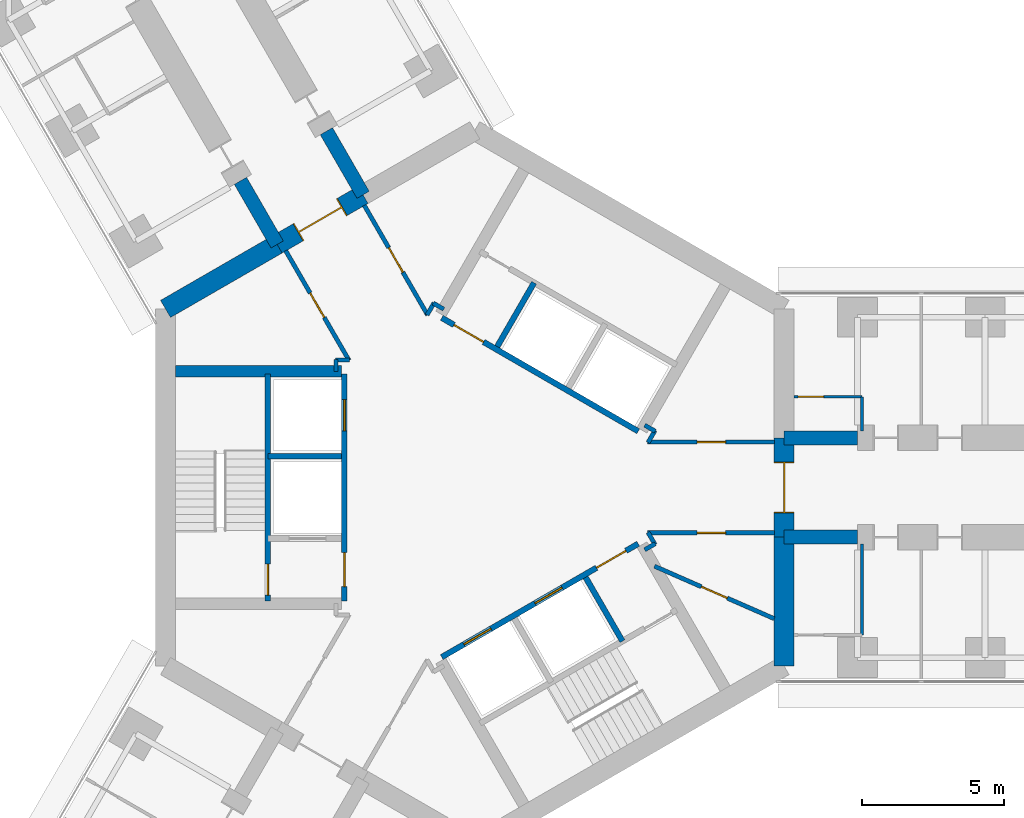
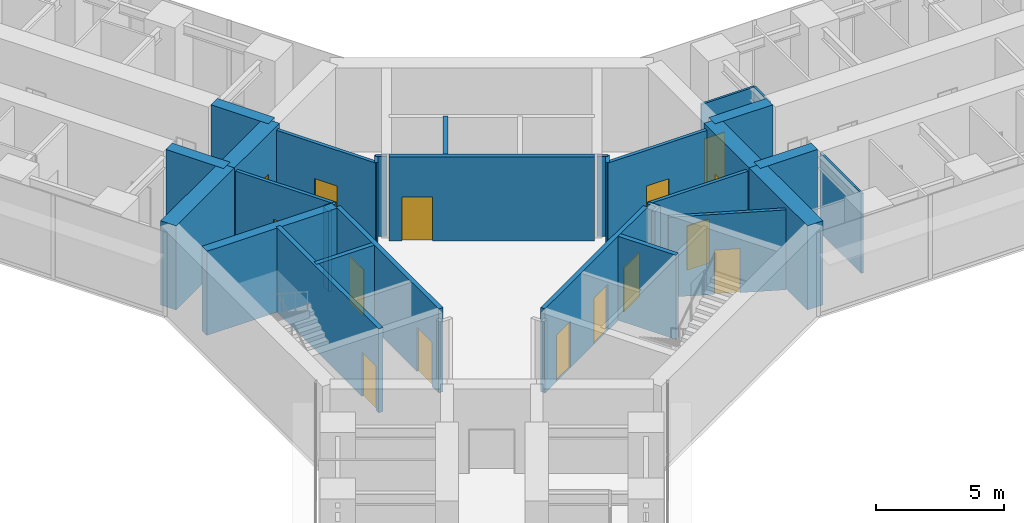
# One storey, part 18 of 25: 32 walls, 15 doors, 15 openings.
"""IFC4 building model written with IfcOpenShell, lengths in metres."""

from ifc_helpers import new_model, si_unit, direction, frame, frame_2d, origin, place, context, subcontext, project, spatial, rectangle, extrude, material, layer, layer_set, type_object, element, fill, save


model = new_model("IFC4")

# Units and contexts
model_context = context("Model", 3, precision=1e-05, world=origin(), true_north=direction((0.0, 1.0)))
body_context = subcontext(model_context, "Body", "Model", "MODEL_VIEW")
ifc_project = project(units=[si_unit("LENGTHUNIT", "METRE"), si_unit("AREAUNIT", "SQUARE_METRE"), si_unit("VOLUMEUNIT", "CUBIC_METRE"), si_unit("PLANEANGLEUNIT", "RADIAN"), si_unit("MASSUNIT", "GRAM", prefix="KILO")], contexts=[model_context])

# Site, building, storey
site_placement = place(None, origin())
site = spatial("IfcSite", under=ifc_project, at=site_placement, CompositionType="ELEMENT")
building_placement = place(site_placement, origin())
building = spatial("IfcBuilding", under=site, at=building_placement, Name="Upepo Twin Towers", CompositionType="ELEMENT")
storey_placement = place(building_placement, frame((0.0, 0.0, 80.5)))
storey = spatial("IfcBuildingStorey", under=building, at=storey_placement, Name="L19", CompositionType="ELEMENT", Elevation=80.5)

# Walls
ifc_material_1 = material(Name="Concrete C60/75", Category="concrete")
ifc_layer_1 = layer(ifc_material_1, 0.5)
ifc_layer_set_1 = layer_set([ifc_layer_1], Name="Concrete C60/75")
wall_type_1 = type_object("IfcWallType", Name="Buttress wall 500 RC", PredefinedType="SHEAR", material=ifc_layer_set_1)
for number, where, z_axis, x_axis, name in (
    (1, (10.908447265625, 1.75, 0.0), (0.0, 0.0, 1.0), (1.0, 0.0, 0.0), "T1 wing A buttress wall L"),
    (2, (10.908447265625, -1.75, 0.0), (0.0, 0.0, 1.0), (1.0, 0.0, 0.0), "T1 wing A buttress wall R"),
):
    element("IfcWall", number, at=place(storey_placement, frame(where, z_axis=z_axis, x_axis=x_axis)), inside=storey, type_object=wall_type_1, Name=name, PredefinedType="SHEAR", context=body_context, shape_type="SweptSolid", body=[
        extrude(rectangle(XDim=2.591552734375, YDim=0.5, at=frame_2d((1.2958984375, 0.0))), origin(), (0.0, 0.0, 1.0), 4.0),
    ])
for number, where, z_axis, x_axis, name in (
    (3, (-6.9697265625, 8.57177734375, 0.0), (0.0, 0.0, 1.0), (-0.499988811324, 0.866031863473, 0.0), "T1 wing B buttress wall L"),
    (4, (-3.938720703125, 10.32177734375, 0.0), (0.0, 0.0, 1.0), (-0.499918158782, 0.866072649678, 0.0), "T1 wing B buttress wall R"),
):
    element("IfcWall", number, at=place(storey_placement, frame(where, z_axis=z_axis, x_axis=x_axis)), inside=storey, type_object=wall_type_1, Name=name, PredefinedType="SHEAR", context=body_context, shape_type="SweptSolid", body=[
        extrude(rectangle(XDim=2.591796875, YDim=0.5, at=frame_2d((1.2958984375, 0.0))), origin(), (0.0, 0.0, 1.0), 4.0),
    ])
ifc_material_2 = material(Name="Concrete C60/75", Category="concrete")
ifc_layer_2 = layer(ifc_material_2, 0.699951171875)
ifc_layer_set_2 = layer_set([ifc_layer_2], Name="Concrete C60/75")
wall_type_2 = type_object("IfcWallType", Name="Core wall 700 RC", PredefinedType="SHEAR", material=ifc_layer_set_2)
wall_1_placement = place(storey_placement, frame((10.908447265625, -6.2978515625, 0.0), z_axis=(0.0, 0.0, 1.0), x_axis=(0.0, 1.0, 0.0)))
element("IfcWall", 5, at=wall_1_placement, inside=storey, type_object=wall_type_2, Name="T1 core wall 000 R", PredefinedType="SHEAR", context=body_context, shape_type="SweptSolid", body=[
    extrude(rectangle(XDim=4.5478515625, YDim=0.699951171875, at=frame_2d((2.27392578125, 0.0))), origin(), (0.0, 0.0, 1.0), 4.0),
])

# Wall, opening, door
wall_2_placement = place(storey_placement, frame((10.908447265625, -1.75, 0.0), z_axis=(0.0, 0.0, 1.0), x_axis=(0.0, 1.0, 0.0)))
wall_2 = element("IfcWall", 6, at=wall_2_placement, inside=storey, type_object=wall_type_2, Name="T1 core wall 000", PredefinedType="SHEAR", context=body_context, shape_type="SweptSolid", body=[
    extrude(rectangle(XDim=3.5, YDim=0.699951171875, at=frame_2d((1.75, 0.0))), origin(), (0.0, 0.0, 1.0), 4.0),
])
opening_1_placement = place(wall_2_placement, frame((0.85009765625, 0.0, 0.0)))
opening_1 = element("IfcOpeningElement", 7, at=opening_1_placement, cuts=wall_2, Name="Opening D2", PredefinedType="OPENING", context=body_context, shape_type="SweptSolid", body=[
    extrude(rectangle(XDim=1.800048828125, YDim=2.10009765625, at=frame_2d((0.89990234375, 1.050048828125))), frame((0.0, 0.35986328125, 0.0), z_axis=(0.0, -1.0, 0.0), x_axis=(1.0, 0.0, 0.0)), (0.0, 0.0, 1.0), 0.719970703125),
])
ifc_material_3 = material(Name="Timber doorset", Category="wood")
door_type_1 = type_object("IfcDoorType", Name="Corridor double door 1800 FD60", OperationType="DOUBLE_DOOR_DOUBLE_SWING", PredefinedType="DOOR", material=ifc_material_3)
door_1_placement = place(opening_1_placement, origin())
door_1 = element("IfcDoor", 8, at=door_1_placement, inside=storey, type_object=door_type_1, Name="T1 L19 wing A corridor door", OperationType="DOUBLE_DOOR_DOUBLE_SWING", OverallHeight=2.10009765625, OverallWidth=1.800048828125, PredefinedType="DOOR", context=body_context, shape_type="SweptSolid", body=[
    extrude(rectangle(XDim=1.720048828125, YDim=2.06009765625, at=frame_2d((0.89990234375, 1.030029296875))), frame((0.0, 0.02490234375, 0.0), z_axis=(0.0, -1.0, 0.0), x_axis=(1.0, 0.0, 0.0)), (0.0, 0.0, 1.0), 0.050048828125),
    extrude(rectangle(XDim=0.04, YDim=2.10009765625, at=frame_2d((0.02001953125, 1.050048828125))), frame((0.0, 0.349609375, 0.0), z_axis=(0.0, -1.0, 0.0), x_axis=(1.0, 0.0, 0.0)), (0.0, 0.0, 1.0), 0.699462890625),
    extrude(rectangle(XDim=0.04, YDim=2.10009765625, at=frame_2d((1.780029296875, 1.050048828125))), frame((0.0, 0.349609375, 0.0), z_axis=(0.0, -1.0, 0.0), x_axis=(1.0, 0.0, 0.0)), (0.0, 0.0, 1.0), 0.699462890625),
    extrude(rectangle(XDim=1.720048828125, YDim=0.04, at=frame_2d((0.89990234375, 2.080078125))), frame((0.0, 0.349609375, 0.0), z_axis=(0.0, -1.0, 0.0), x_axis=(1.0, 0.0, 0.0)), (0.0, 0.0, 1.0), 0.699462890625),
])
fill(opening_1, door_1)

wall_3_placement = place(storey_placement, frame((-3.938720703125, 10.32177734375, 0.0), z_axis=(0.0, 0.0, 1.0), x_axis=(-0.866019471182, -0.500010275428, 0.0)))
wall_3 = element("IfcWall", 9, at=wall_3_placement, inside=storey, type_object=wall_type_2, Name="T1 core wall 120", PredefinedType="SHEAR", context=body_context, shape_type="SweptSolid", body=[
    extrude(rectangle(XDim=3.5, YDim=0.699951171875, at=frame_2d((1.75, 0.0))), origin(), (0.0, 0.0, 1.0), 4.0),
])
opening_2_placement = place(wall_3_placement, frame((0.85009765625, 0.0, 0.0)))
opening_2 = element("IfcOpeningElement", 10, at=opening_2_placement, cuts=wall_3, Name="Opening D2", PredefinedType="OPENING", context=body_context, shape_type="SweptSolid", body=[
    extrude(rectangle(XDim=1.800048828125, YDim=2.10009765625, at=frame_2d((0.89990234375, 1.050048828125))), frame((0.0, 0.35986328125, 0.0), z_axis=(0.0, -1.0, 0.0), x_axis=(1.0, 0.0, 0.0)), (0.0, 0.0, 1.0), 0.719970703125),
])
door_2_placement = place(opening_2_placement, origin())
door_2 = element("IfcDoor", 11, at=door_2_placement, inside=storey, type_object=door_type_1, Name="T1 L19 wing B corridor door", OperationType="DOUBLE_DOOR_DOUBLE_SWING", OverallHeight=2.10009765625, OverallWidth=1.800048828125, PredefinedType="DOOR", context=body_context, shape_type="SweptSolid", body=[
    extrude(rectangle(XDim=1.720048828125, YDim=2.06009765625, at=frame_2d((0.89990234375, 1.030029296875))), frame((0.0, 0.02490234375, 0.0), z_axis=(0.0, -1.0, 0.0), x_axis=(1.0, 0.0, 0.0)), (0.0, 0.0, 1.0), 0.050048828125),
    extrude(rectangle(XDim=0.04, YDim=2.10009765625, at=frame_2d((0.02001953125, 1.050048828125))), frame((0.0, 0.349609375, 0.0), z_axis=(0.0, -1.0, 0.0), x_axis=(1.0, 0.0, 0.0)), (0.0, 0.0, 1.0), 0.699462890625),
    extrude(rectangle(XDim=0.04, YDim=2.10009765625, at=frame_2d((1.780029296875, 1.050048828125))), frame((0.0, 0.349609375, 0.0), z_axis=(0.0, -1.0, 0.0), x_axis=(1.0, 0.0, 0.0)), (0.0, 0.0, 1.0), 0.699462890625),
    extrude(rectangle(XDim=1.720048828125, YDim=0.04, at=frame_2d((0.89990234375, 2.080078125))), frame((0.0, 0.349609375, 0.0), z_axis=(0.0, -1.0, 0.0), x_axis=(1.0, 0.0, 0.0)), (0.0, 0.0, 1.0), 0.699462890625),
])
fill(opening_2, door_2)

# Wall
wall_4_placement = place(storey_placement, frame((-6.9697265625, 8.57177734375, 0.0), z_axis=(0.0, 0.0, 1.0), x_axis=(-0.866034513004, -0.499984222037, 0.0)))
element("IfcWall", 12, at=wall_4_placement, inside=storey, type_object=wall_type_2, Name="T1 core wall 120 L", PredefinedType="SHEAR", context=body_context, shape_type="SweptSolid", body=[
    extrude(rectangle(XDim=4.548095703125, YDim=0.699951171875, at=frame_2d((2.27392578125, 0.0))), origin(), (0.0, 0.0, 1.0), 4.0),
])

# Wall, opening, door
ifc_material_4 = material(Name="Gypsum board on steel studs", Category="steel")
ifc_layer_3 = layer(ifc_material_4, 0.10009765625)
ifc_layer_set_3 = layer_set([ifc_layer_3], Name="Office partition 100 stud")
wall_type_3 = type_object("IfcWallType", Name="Office partition 100 stud", PredefinedType="PARTITIONING", material=ifc_layer_set_3)
wall_5_placement = place(storey_placement, frame((11.258056640625, 3.199951171875, 0.0), z_axis=(0.0, 0.0, 1.0), x_axis=(1.0, 0.0, 0.0)))
wall_5 = element("IfcWall", 13, at=wall_5_placement, inside=storey, type_object=wall_type_3, Name="T1 WC bay partition AL at 11.26", PredefinedType="PARTITIONING", context=body_context, shape_type="SweptSolid", body=[
    extrude(rectangle(XDim=2.39990234375, YDim=0.10009765625, at=frame_2d((1.199951171875, 0.0))), origin(), (0.0, 0.0, 1.0), 3.800048828125),
])
opening_3_placement = place(wall_5_placement, frame((0.14990234375, 0.0, 0.0)))
opening_3 = element("IfcOpeningElement", 14, at=opening_3_placement, cuts=wall_5, Name="Opening D14", PredefinedType="OPENING", context=body_context, shape_type="SweptSolid", body=[
    extrude(rectangle(XDim=0.89990234375, YDim=2.10009765625, at=frame_2d((0.449951171875, 1.050048828125))), frame((0.0, 0.06005859375, 0.0), z_axis=(0.0, -1.0, 0.0), x_axis=(1.0, 0.0, 0.0)), (0.0, 0.0, 1.0), 0.1201171875),
])
ifc_material_5 = material(Name="Timber doorset", Category="wood")
door_type_2 = type_object("IfcDoorType", Name="Office door 900 FD30", OperationType="SINGLE_SWING_LEFT", PredefinedType="DOOR", material=ifc_material_5)
door_3_placement = place(opening_3_placement, origin())
door_3 = element("IfcDoor", 15, at=door_3_placement, inside=storey, type_object=door_type_2, Name="T1 L19 WC bay inner room door", OperationType="SINGLE_SWING_LEFT", OverallHeight=2.10009765625, OverallWidth=0.89990234375, PredefinedType="DOOR", context=body_context, shape_type="SweptSolid", body=[
    extrude(rectangle(XDim=0.89990234375, YDim=2.10009765625, at=frame_2d((0.449951171875, 1.050048828125))), frame((0.0, 0.02490234375, 0.0), z_axis=(0.0, -1.0, 0.0), x_axis=(1.0, 0.0, 0.0)), (0.0, 0.0, 1.0), 0.050048828125),
])
fill(opening_3, door_3)

# Walls
wall_6_placement = place(storey_placement, frame((13.657958984375, 2.0, 0.0), z_axis=(0.0, 0.0, 1.0), x_axis=(0.0, 1.0, 0.0)))
element("IfcWall", 16, at=wall_6_placement, inside=storey, type_object=wall_type_3, Name="T1 WC bay partition AL end at 13.66", PredefinedType="PARTITIONING", context=body_context, shape_type="SweptSolid", body=[
    extrude(rectangle(XDim=1.199951171875, YDim=0.10009765625, at=frame_2d((0.60009765625, 0.0))), origin(), (0.0, 0.0, 1.0), 3.800048828125),
])
wall_7_placement = place(storey_placement, frame((13.657958984375, -2.0, 0.0), z_axis=(0.0, 0.0, 1.0), x_axis=(0.0, -1.0, 0.0)))
element("IfcWall", 17, at=wall_7_placement, inside=storey, type_object=wall_type_3, Name="T1 WC bay partition AR end at 13.66", PredefinedType="PARTITIONING", context=body_context, shape_type="SweptSolid", body=[
    extrude(rectangle(XDim=3.199951171875, YDim=0.10009765625, at=frame_2d((1.60009765625, 0.0))), origin(), (0.0, 0.0, 1.0), 3.800048828125),
])

# Wall, opening, door
ifc_material_6 = material(Name="Concrete C40/50", Category="concrete")
ifc_layer_4 = layer(ifc_material_6, 0.199951171875)
ifc_layer_set_4 = layer_set([ifc_layer_4], Name="Concrete C40/50")
wall_type_4 = type_object("IfcWallType", Name="Shaft wall 200 RC", PredefinedType="SHEAR", material=ifc_layer_set_4)
wall_8_placement = place(storey_placement, frame((5.76416015625, 1.983642578125, 0.0), z_axis=(0.0, 0.0, 1.0), x_axis=(-0.866026010844, 0.49999894854, 0.0)))
wall_8 = element("IfcWall", 18, at=wall_8_placement, inside=storey, type_object=wall_type_4, Name="T1 core W60 front wall", PredefinedType="SHEAR", context=body_context, shape_type="SweptSolid", body=[
    extrude(rectangle(XDim=8.0, YDim=0.199951171875, at=frame_2d((4.0, 0.0))), origin(), (0.0, 0.0, 1.0), 4.0),
])
opening_4_placement = place(wall_8_placement, frame((6.300048828125, 0.0, 0.0)))
opening_4 = element("IfcOpeningElement", 19, at=opening_4_placement, cuts=wall_8, Name="Opening D4", PredefinedType="OPENING", context=body_context, shape_type="SweptSolid", body=[
    extrude(rectangle(XDim=1.199951171875, YDim=2.10009765625, at=frame_2d((0.60009765625, 1.050048828125))), frame((0.0, 0.10986328125, 0.0), z_axis=(0.0, -1.0, 0.0), x_axis=(1.0, 0.0, 0.0)), (0.0, 0.0, 1.0), 0.219970703125),
])
ifc_material_7 = material(Name="Timber doorset", Category="wood")
door_type_3 = type_object("IfcDoorType", Name="Lobby door 1200 FD60", OperationType="SINGLE_SWING_LEFT", PredefinedType="DOOR", material=ifc_material_7)
door_4_placement = place(opening_4_placement, origin())
door_4 = element("IfcDoor", 20, at=door_4_placement, inside=storey, type_object=door_type_3, Name="T1 L19 W60 lobby door", OperationType="SINGLE_SWING_RIGHT", OverallHeight=2.10009765625, OverallWidth=1.199951171875, PredefinedType="DOOR", context=body_context, shape_type="SweptSolid", body=[
    extrude(rectangle(XDim=1.199951171875, YDim=2.10009765625, at=frame_2d((0.60009765625, 1.050048828125))), frame((0.0, 0.02490234375, 0.0), z_axis=(0.0, -1.0, 0.0), x_axis=(1.0, 0.0, 0.0)), (0.0, 0.0, 1.0), 0.050048828125),
])
fill(opening_4, door_4)

# Wall
wall_9_placement = place(storey_placement, frame((0.791259765625, 4.97021484375, 0.0), z_axis=(0.0, 0.0, 1.0), x_axis=(0.499936506574, 0.866062058628, 0.0)))
element("IfcWall", 21, at=wall_9_placement, inside=storey, type_object=wall_type_4, Name="T1 core W60 lobby wall", PredefinedType="SHEAR", context=body_context, shape_type="SweptSolid", body=[
    extrude(rectangle(XDim=2.599853515625, YDim=0.199951171875, at=frame_2d((1.2998046875, 0.0))), origin(), (0.0, 0.0, 1.0), 4.0),
])

# Wall, openings, doors
wall_10_placement = place(storey_placement, frame((-4.60009765625, 4.0, 0.0), z_axis=(0.0, 0.0, 1.0), x_axis=(0.0, -1.0, 0.0)))
wall_10 = element("IfcWall", 22, at=wall_10_placement, inside=storey, type_object=wall_type_4, Name="T1 core W180 front wall", PredefinedType="SHEAR", context=body_context, shape_type="SweptSolid", body=[
    extrude(rectangle(XDim=8.0, YDim=0.199951171875, at=frame_2d((4.0, 0.0))), origin(), (0.0, 0.0, 1.0), 4.0),
])
opening_5_placement = place(wall_10_placement, frame((6.300048828125, 0.0, 0.0)))
opening_5 = element("IfcOpeningElement", 23, at=opening_5_placement, cuts=wall_10, Name="Opening D4", PredefinedType="OPENING", context=body_context, shape_type="SweptSolid", body=[
    extrude(rectangle(XDim=1.199951171875, YDim=2.10009765625, at=frame_2d((0.60009765625, 1.050048828125))), frame((0.0, 0.10986328125, 0.0), z_axis=(0.0, -1.0, 0.0), x_axis=(1.0, 0.0, 0.0)), (0.0, 0.0, 1.0), 0.219970703125),
])
opening_6_placement = place(wall_10_placement, frame((0.89990234375, 0.0, 0.0)))
opening_6 = element("IfcOpeningElement", 24, at=opening_6_placement, cuts=wall_10, Name="Opening LD1", PredefinedType="OPENING", context=body_context, shape_type="SweptSolid", body=[
    extrude(rectangle(XDim=1.10009765625, YDim=2.199951171875, at=frame_2d((0.550048828125, 1.10009765625))), frame((0.0, 0.10986328125, 0.0), z_axis=(0.0, -1.0, 0.0), x_axis=(1.0, 0.0, 0.0)), (0.0, 0.0, 1.0), 0.219970703125),
])
ifc_material_8 = material(Name="Steel doorset", Category="steel")
door_type_4 = type_object("IfcDoorType", Name="Lift landing door 1100", OperationType="DOUBLE_DOOR_SLIDING", PredefinedType="DOOR", material=ifc_material_8)
door_5_placement = place(opening_6_placement, origin())
door_5 = element("IfcDoor", 25, at=door_5_placement, inside=storey, type_object=door_type_4, Name="T1 L19 lift SV1 landing door", OperationType="DOUBLE_DOOR_SLIDING", OverallHeight=2.199951171875, OverallWidth=1.10009765625, PredefinedType="DOOR", context=body_context, shape_type="SweptSolid", body=[
    extrude(rectangle(XDim=1.10009765625, YDim=2.199951171875, at=frame_2d((0.550048828125, 1.10009765625))), frame((0.0, 0.02490234375, 0.0), z_axis=(0.0, -1.0, 0.0), x_axis=(1.0, 0.0, 0.0)), (0.0, 0.0, 1.0), 0.050048828125),
])
fill(opening_6, door_5)
door_6_placement = place(opening_5_placement, origin())
door_6 = element("IfcDoor", 26, at=door_6_placement, inside=storey, type_object=door_type_3, Name="T1 L19 W180 lobby door", OperationType="SINGLE_SWING_RIGHT", OverallHeight=2.10009765625, OverallWidth=1.199951171875, PredefinedType="DOOR", context=body_context, shape_type="SweptSolid", body=[
    extrude(rectangle(XDim=1.199951171875, YDim=2.10009765625, at=frame_2d((0.60009765625, 1.050048828125))), frame((0.0, 0.02490234375, 0.0), z_axis=(0.0, -1.0, 0.0), x_axis=(1.0, 0.0, 0.0)), (0.0, 0.0, 1.0), 0.050048828125),
])
fill(opening_5, door_6)

# Wall
wall_11_placement = place(storey_placement, frame((-4.699951171875, 1.10009765625, 0.0), z_axis=(0.0, 0.0, 1.0), x_axis=(-1.0, 0.0, 0.0)))
element("IfcWall", 27, at=wall_11_placement, inside=storey, type_object=wall_type_4, Name="T1 core W180 shaft divider", PredefinedType="SHEAR", context=body_context, shape_type="SweptSolid", body=[
    extrude(rectangle(XDim=2.60009765625, YDim=0.199951171875, at=frame_2d((1.300048828125, 0.0))), origin(), (0.0, 0.0, 1.0), 4.0),
])

# Wall, opening, door
wall_12_placement = place(storey_placement, frame((-7.300048828125, 4.0, 0.0), z_axis=(0.0, 0.0, 1.0), x_axis=(0.0, -1.0, 0.0)))
wall_12 = element("IfcWall", 28, at=wall_12_placement, inside=storey, type_object=wall_type_4, Name="T1 core W180 stair wall", PredefinedType="SHEAR", context=body_context, shape_type="SweptSolid", body=[
    extrude(rectangle(XDim=8.0, YDim=0.199951171875, at=frame_2d((4.0, 0.0))), origin(), (0.0, 0.0, 1.0), 4.0),
])
opening_7_placement = place(wall_12_placement, frame((6.699951171875, 0.0, 0.0)))
opening_7 = element("IfcOpeningElement", 29, at=opening_7_placement, cuts=wall_12, Name="Opening D3", PredefinedType="OPENING", context=body_context, shape_type="SweptSolid", body=[
    extrude(rectangle(XDim=1.10009765625, YDim=2.10009765625, at=frame_2d((0.550048828125, 1.050048828125))), frame((0.0, 0.10986328125, 0.0), z_axis=(0.0, -1.0, 0.0), x_axis=(1.0, 0.0, 0.0)), (0.0, 0.0, 1.0), 0.219970703125),
])
ifc_material_9 = material(Name="Timber doorset", Category="wood")
door_type_5 = type_object("IfcDoorType", Name="Stair door 1100 FD60", OperationType="SINGLE_SWING_LEFT", PredefinedType="DOOR", material=ifc_material_9)
door_7_placement = place(opening_7_placement, origin())
door_7 = element("IfcDoor", 30, at=door_7_placement, inside=storey, type_object=door_type_5, Name="T1 L19 stair door", OperationType="SINGLE_SWING_RIGHT", OverallHeight=2.10009765625, OverallWidth=1.10009765625, PredefinedType="DOOR", context=body_context, shape_type="SweptSolid", body=[
    extrude(rectangle(XDim=1.10009765625, YDim=2.10009765625, at=frame_2d((0.550048828125, 1.050048828125))), frame((0.0, 0.02490234375, 0.0), z_axis=(0.0, -1.0, 0.0), x_axis=(1.0, 0.0, 0.0)), (0.0, 0.0, 1.0), 0.050048828125),
])
fill(opening_7, door_7)

# Wall, openings, doors
wall_13_placement = place(storey_placement, frame((-1.1640625, -5.983642578125, 0.0), z_axis=(0.0, 0.0, 1.0), x_axis=(0.866026010844, 0.49999894854, 0.0)))
wall_13 = element("IfcWall", 31, at=wall_13_placement, inside=storey, type_object=wall_type_4, Name="T1 core W300 front wall", PredefinedType="SHEAR", context=body_context, shape_type="SweptSolid", body=[
    extrude(rectangle(XDim=8.0, YDim=0.199951171875, at=frame_2d((4.0, 0.0))), origin(), (0.0, 0.0, 1.0), 4.0),
])
opening_8_placement = place(wall_13_placement, frame((6.300048828125, 0.0, 0.0)))
opening_8 = element("IfcOpeningElement", 32, at=opening_8_placement, cuts=wall_13, Name="Opening D4", PredefinedType="OPENING", context=body_context, shape_type="SweptSolid", body=[
    extrude(rectangle(XDim=1.199951171875, YDim=2.10009765625, at=frame_2d((0.60009765625, 1.050048828125))), frame((0.0, 0.10986328125, 0.0), z_axis=(0.0, -1.0, 0.0), x_axis=(1.0, 0.0, 0.0)), (0.0, 0.0, 1.0), 0.219970703125),
])
opening_9_placement = place(wall_13_placement, frame((0.89990234375, 0.0, 0.0)))
opening_9 = element("IfcOpeningElement", 33, at=opening_9_placement, cuts=wall_13, Name="Opening LD1", PredefinedType="OPENING", context=body_context, shape_type="SweptSolid", body=[
    extrude(rectangle(XDim=1.10009765625, YDim=2.199951171875, at=frame_2d((0.550048828125, 1.10009765625))), frame((0.0, 0.10986328125, 0.0), z_axis=(0.0, -1.0, 0.0), x_axis=(1.0, 0.0, 0.0)), (0.0, 0.0, 1.0), 0.219970703125),
])
opening_10_placement = place(wall_13_placement, frame((3.800048828125, 0.0, 0.0)))
opening_10 = element("IfcOpeningElement", 34, at=opening_10_placement, cuts=wall_13, Name="Opening LD1", PredefinedType="OPENING", context=body_context, shape_type="SweptSolid", body=[
    extrude(rectangle(XDim=1.10009765625, YDim=2.199951171875, at=frame_2d((0.550048828125, 1.10009765625))), frame((0.0, 0.10986328125, 0.0), z_axis=(0.0, -1.0, 0.0), x_axis=(1.0, 0.0, 0.0)), (0.0, 0.0, 1.0), 0.219970703125),
])
door_8_placement = place(opening_9_placement, origin())
door_8 = element("IfcDoor", 35, at=door_8_placement, inside=storey, type_object=door_type_4, Name="T1 L19 lift LL1 landing door", OperationType="DOUBLE_DOOR_SLIDING", OverallHeight=2.199951171875, OverallWidth=1.10009765625, PredefinedType="DOOR", context=body_context, shape_type="SweptSolid", body=[
    extrude(rectangle(XDim=1.10009765625, YDim=2.199951171875, at=frame_2d((0.550048828125, 1.10009765625))), frame((0.0, 0.02490234375, 0.0), z_axis=(0.0, -1.0, 0.0), x_axis=(1.0, 0.0, 0.0)), (0.0, 0.0, 1.0), 0.050048828125),
])
fill(opening_9, door_8)
door_9_placement = place(opening_10_placement, origin())
door_9 = element("IfcDoor", 36, at=door_9_placement, inside=storey, type_object=door_type_4, Name="T1 L19 lift LL2 landing door", OperationType="DOUBLE_DOOR_SLIDING", OverallHeight=2.199951171875, OverallWidth=1.10009765625, PredefinedType="DOOR", context=body_context, shape_type="SweptSolid", body=[
    extrude(rectangle(XDim=1.10009765625, YDim=2.199951171875, at=frame_2d((0.550048828125, 1.10009765625))), frame((0.0, 0.02490234375, 0.0), z_axis=(0.0, -1.0, 0.0), x_axis=(1.0, 0.0, 0.0)), (0.0, 0.0, 1.0), 0.050048828125),
])
fill(opening_10, door_9)
door_10_placement = place(opening_8_placement, origin())
door_10 = element("IfcDoor", 37, at=door_10_placement, inside=storey, type_object=door_type_3, Name="T1 L19 W300 lobby door", OperationType="SINGLE_SWING_RIGHT", OverallHeight=2.10009765625, OverallWidth=1.199951171875, PredefinedType="DOOR", context=body_context, shape_type="SweptSolid", body=[
    extrude(rectangle(XDim=1.199951171875, YDim=2.10009765625, at=frame_2d((0.60009765625, 1.050048828125))), frame((0.0, 0.02490234375, 0.0), z_axis=(0.0, -1.0, 0.0), x_axis=(1.0, 0.0, 0.0)), (0.0, 0.0, 1.0), 0.050048828125),
])
fill(opening_8, door_10)

# Walls
wall_14_placement = place(storey_placement, frame((3.908935546875, -3.17041015625, 0.0), z_axis=(0.0, 0.0, 1.0), x_axis=(0.49997716683, -0.86603858612, 0.0)))
element("IfcWall", 38, at=wall_14_placement, inside=storey, type_object=wall_type_4, Name="T1 core W300 lobby wall", PredefinedType="SHEAR", context=body_context, shape_type="SweptSolid", body=[
    extrude(rectangle(XDim=2.599609375, YDim=0.199951171875, at=frame_2d((1.2998046875, 0.0))), origin(), (0.0, 0.0, 1.0), 4.0),
])
ifc_material_10 = material(Name="Concrete C40/50", Category="concrete")
ifc_layer_5 = layer(ifc_material_10, 0.39990234375)
ifc_layer_set_5 = layer_set([ifc_layer_5], Name="Concrete C40/50")
wall_type_5 = type_object("IfcWallType", Name="Shaft wall 400 RC", PredefinedType="SHEAR", material=ifc_layer_set_5)
wall_15_placement = place(storey_placement, frame((-4.699951171875, 4.10009765625, 0.0), z_axis=(0.0, 0.0, 1.0), x_axis=(-1.0, 0.0, 0.0)))
element("IfcWall", 39, at=wall_15_placement, inside=storey, type_object=wall_type_5, Name="T1 core W180 side wall S", PredefinedType="SHEAR", context=body_context, shape_type="SweptSolid", body=[
    extrude(rectangle(XDim=5.8583984375, YDim=0.39990234375, at=frame_2d((2.92919921875, 0.0))), origin(), (0.0, 0.0, 1.0), 4.0),
])
ifc_material_11 = material(Name="Gypsum board on steel studs", Category="steel")
ifc_layer_6 = layer(ifc_material_11, 0.14990234375)
ifc_layer_set_6 = layer_set([ifc_layer_6], Name="Teaching partition 150 acoustic")
wall_type_6 = type_object("IfcWallType", Name="Teaching partition 150 acoustic", PredefinedType="PARTITIONING", material=ifc_layer_set_6)
for number, where, z_axis, x_axis, name in (
    (40, (6.364501953125, -1.9833984375, 0.0), (0.0, 0.0, 1.0), (-0.865892400268, -0.500230298122, 0.0), "T1 core room partition 1"),
    (41, (-4.89990234375, 4.090087890625, 0.0), (0.0, 0.0, 1.0), (0.0, 1.0, 0.0), "T1 core room partition 8"),
):
    element("IfcWall", number, at=place(storey_placement, frame(where, z_axis=z_axis, x_axis=x_axis)), inside=storey, type_object=wall_type_6, Name=name, PredefinedType="PARTITIONING", context=body_context, shape_type="SweptSolid", body=[
        extrude(rectangle(XDim=0.429931640625, YDim=0.14990234375, at=frame_2d((0.21484375, 0.0))), origin(), (0.0, 0.0, 1.0), 3.800048828125),
    ])
wall_16_placement = place(storey_placement, frame((-4.919921875, 4.5, 0.0), z_axis=(0.0, 0.0, 1.0), x_axis=(1.0, 0.0, 0.0)))
element("IfcWall", 42, at=wall_16_placement, inside=storey, type_object=wall_type_6, Name="T1 core room partition 9", PredefinedType="PARTITIONING", context=body_context, shape_type="SweptSolid", body=[
    extrude(rectangle(XDim=0.494384765625, YDim=0.14990234375, at=frame_2d((0.2470703125, 0.0))), origin(), (0.0, 0.0, 1.0), 3.800048828125),
])

# Wall, opening, door
wall_17_placement = place(storey_placement, frame((-4.435546875, 4.482666015625, 0.0), z_axis=(0.0, 0.0, 1.0), x_axis=(-0.500017246033, 0.866015446554, 0.0)))
wall_17 = element("IfcWall", 43, at=wall_17_placement, inside=storey, type_object=wall_type_6, Name="T1 core room partition 10", PredefinedType="PARTITIONING", context=body_context, shape_type="SweptSolid", body=[
    extrude(rectangle(XDim=4.468505859375, YDim=0.14990234375, at=frame_2d((2.234375, 0.0))), origin(), (0.0, 0.0, 1.0), 3.800048828125),
])
opening_11_placement = place(wall_17_placement, frame((1.744384765625, 0.0, 0.0)))
opening_11 = element("IfcOpeningElement", 44, at=opening_11_placement, cuts=wall_17, Name="Opening D1", PredefinedType="OPENING", context=body_context, shape_type="SweptSolid", body=[
    extrude(rectangle(XDim=1.0, YDim=2.10009765625, at=frame_2d((0.5, 1.050048828125))), frame((0.0, 0.0849609375, 0.0), z_axis=(0.0, -1.0, 0.0), x_axis=(1.0, 0.0, 0.0)), (0.0, 0.0, 1.0), 0.169921875),
])
ifc_material_12 = material(Name="Timber doorset", Category="wood")
door_type_6 = type_object("IfcDoorType", Name="Room door 1000 FD30", OperationType="SINGLE_SWING_LEFT", PredefinedType="DOOR", material=ifc_material_12)
door_11_placement = place(opening_11_placement, origin())
door_11 = element("IfcDoor", 45, at=door_11_placement, inside=storey, type_object=door_type_6, Name="T1 L19 core room door K7", OperationType="SINGLE_SWING_RIGHT", OverallHeight=2.10009765625, OverallWidth=1.0, PredefinedType="DOOR", context=body_context, shape_type="SweptSolid", body=[
    extrude(rectangle(XDim=1.0, YDim=2.10009765625, at=frame_2d((0.5, 1.050048828125))), frame((0.0, 0.02490234375, 0.0), z_axis=(0.0, -1.0, 0.0), x_axis=(1.0, 0.0, 0.0)), (0.0, 0.0, 1.0), 0.050048828125),
])
fill(opening_11, door_11)

wall_18_placement = place(storey_placement, frame((-3.8984375, 9.952392578125, 0.0), z_axis=(0.0, 0.0, 1.0), x_axis=(0.499999927604, -0.866025445582, 0.0)))
wall_18 = element("IfcWall", 46, at=wall_18_placement, inside=storey, type_object=wall_type_6, Name="T1 core room partition 11", PredefinedType="PARTITIONING", context=body_context, shape_type="SweptSolid", body=[
    extrude(rectangle(XDim=4.46826171875, YDim=0.14990234375, at=frame_2d((2.234130859375, 0.0))), origin(), (0.0, 0.0, 1.0), 3.800048828125),
])
opening_12_placement = place(wall_18_placement, frame((1.72412109375, 0.0, 0.0)))
opening_12 = element("IfcOpeningElement", 47, at=opening_12_placement, cuts=wall_18, Name="Opening D1", PredefinedType="OPENING", context=body_context, shape_type="SweptSolid", body=[
    extrude(rectangle(XDim=1.0, YDim=2.10009765625, at=frame_2d((0.5, 1.050048828125))), frame((0.0, 0.0849609375, 0.0), z_axis=(0.0, -1.0, 0.0), x_axis=(1.0, 0.0, 0.0)), (0.0, 0.0, 1.0), 0.169921875),
])
door_12_placement = place(opening_12_placement, origin())
door_12 = element("IfcDoor", 48, at=door_12_placement, inside=storey, type_object=door_type_6, Name="T1 L19 core room door K6", OperationType="SINGLE_SWING_LEFT", OverallHeight=2.10009765625, OverallWidth=1.0, PredefinedType="DOOR", context=body_context, shape_type="SweptSolid", body=[
    extrude(rectangle(XDim=1.0, YDim=2.10009765625, at=frame_2d((0.5, 1.050048828125))), frame((0.0, 0.02490234375, 0.0), z_axis=(0.0, -1.0, 0.0), x_axis=(1.0, 0.0, 0.0)), (0.0, 0.0, 1.0), 0.050048828125),
])
fill(opening_12, door_12)

# Walls
wall_19_placement = place(storey_placement, frame((-1.684326171875, 6.082763671875, 0.0), z_axis=(0.0, 0.0, 1.0), x_axis=(0.50033519877, 0.865831790172, 0.0)))
element("IfcWall", 49, at=wall_19_placement, inside=storey, type_object=wall_type_6, Name="T1 core room partition 12", PredefinedType="PARTITIONING", context=body_context, shape_type="SweptSolid", body=[
    extrude(rectangle(XDim=0.494384765625, YDim=0.14990234375, at=frame_2d((0.2470703125, 0.0))), origin(), (0.0, 0.0, 1.0), 3.800048828125),
])
for number, where, z_axis, x_axis, name in (
    (50, (-1.46435546875, 6.50341796875, 0.0), (0.0, 0.0, 1.0), (0.866138304741, -0.499804398801, 0.0), "T1 core room partition 13"),
    (51, (5.9921875, 2.198486328125, 0.0), (0.0, 0.0, 1.0), (0.865892400268, -0.500230298122, 0.0), "T1 core room partition 14"),
):
    element("IfcWall", number, at=place(storey_placement, frame(where, z_axis=z_axis, x_axis=x_axis)), inside=storey, type_object=wall_type_6, Name=name, PredefinedType="PARTITIONING", context=body_context, shape_type="SweptSolid", body=[
        extrude(rectangle(XDim=0.429931640625, YDim=0.14990234375, at=frame_2d((0.21484375, 0.0))), origin(), (0.0, 0.0, 1.0), 3.800048828125),
    ])
wall_20_placement = place(storey_placement, frame((6.357177734375, 2.0107421875, 0.0), z_axis=(0.0, 0.0, 1.0), x_axis=(-0.50033519877, -0.865831790172, 0.0)))
element("IfcWall", 52, at=wall_20_placement, inside=storey, type_object=wall_type_6, Name="T1 core room partition 15", PredefinedType="PARTITIONING", context=body_context, shape_type="SweptSolid", body=[
    extrude(rectangle(XDim=0.494384765625, YDim=0.14990234375, at=frame_2d((0.2470703125, 0.0))), origin(), (0.0, 0.0, 1.0), 3.800048828125),
])

# Wall, opening, door
wall_21_placement = place(storey_placement, frame((6.099853515625, 1.60009765625, 0.0), z_axis=(0.0, 0.0, 1.0), x_axis=(1.0, 0.0, 0.0)))
wall_21 = element("IfcWall", 53, at=wall_21_placement, inside=storey, type_object=wall_type_6, Name="T1 core room partition 16", PredefinedType="PARTITIONING", context=body_context, shape_type="SweptSolid", body=[
    extrude(rectangle(XDim=4.468505859375, YDim=0.14990234375, at=frame_2d((2.234375, 0.0))), origin(), (0.0, 0.0, 1.0), 3.800048828125),
])
opening_13_placement = place(wall_21_placement, frame((1.744384765625, 0.0, 0.0)))
opening_13 = element("IfcOpeningElement", 54, at=opening_13_placement, cuts=wall_21, Name="Opening D1", PredefinedType="OPENING", context=body_context, shape_type="SweptSolid", body=[
    extrude(rectangle(XDim=1.0, YDim=2.10009765625, at=frame_2d((0.5, 1.050048828125))), frame((0.0, 0.0849609375, 0.0), z_axis=(0.0, -1.0, 0.0), x_axis=(1.0, 0.0, 0.0)), (0.0, 0.0, 1.0), 0.169921875),
])
door_13_placement = place(opening_13_placement, origin())
door_13 = element("IfcDoor", 55, at=door_13_placement, inside=storey, type_object=door_type_6, Name="T1 L19 core room door K5", OperationType="SINGLE_SWING_RIGHT", OverallHeight=2.10009765625, OverallWidth=1.0, PredefinedType="DOOR", context=body_context, shape_type="SweptSolid", body=[
    extrude(rectangle(XDim=1.0, YDim=2.10009765625, at=frame_2d((0.5, 1.050048828125))), frame((0.0, 0.02490234375, 0.0), z_axis=(0.0, -1.0, 0.0), x_axis=(1.0, 0.0, 0.0)), (0.0, 0.0, 1.0), 0.050048828125),
])
fill(opening_13, door_13)

wall_22_placement = place(storey_placement, frame((10.568359375, -1.60009765625, 0.0), z_axis=(0.0, 0.0, 1.0), x_axis=(-1.0, 0.0, 0.0)))
wall_22 = element("IfcWall", 56, at=wall_22_placement, inside=storey, type_object=wall_type_6, Name="T1 core room partition 17", PredefinedType="PARTITIONING", context=body_context, shape_type="SweptSolid", body=[
    extrude(rectangle(XDim=4.468505859375, YDim=0.14990234375, at=frame_2d((2.234375, 0.0))), origin(), (0.0, 0.0, 1.0), 3.800048828125),
])
opening_14_placement = place(wall_22_placement, frame((1.72412109375, 0.0, 0.0)))
opening_14 = element("IfcOpeningElement", 57, at=opening_14_placement, cuts=wall_22, Name="Opening D1", PredefinedType="OPENING", context=body_context, shape_type="SweptSolid", body=[
    extrude(rectangle(XDim=1.0, YDim=2.10009765625, at=frame_2d((0.5, 1.050048828125))), frame((0.0, 0.0849609375, 0.0), z_axis=(0.0, -1.0, 0.0), x_axis=(1.0, 0.0, 0.0)), (0.0, 0.0, 1.0), 0.169921875),
])
door_14_placement = place(opening_14_placement, origin())
door_14 = element("IfcDoor", 58, at=door_14_placement, inside=storey, type_object=door_type_6, Name="T1 L19 core room door K3", OperationType="SINGLE_SWING_LEFT", OverallHeight=2.10009765625, OverallWidth=1.0, PredefinedType="DOOR", context=body_context, shape_type="SweptSolid", body=[
    extrude(rectangle(XDim=1.0, YDim=2.10009765625, at=frame_2d((0.5, 1.050048828125))), frame((0.0, 0.02490234375, 0.0), z_axis=(0.0, -1.0, 0.0), x_axis=(1.0, 0.0, 0.0)), (0.0, 0.0, 1.0), 0.050048828125),
])
fill(opening_14, door_14)

# Wall
wall_23_placement = place(storey_placement, frame((6.10986328125, -1.582763671875, 0.0), z_axis=(0.0, 0.0, 1.0), x_axis=(0.50033519877, -0.865831790172, 0.0)))
element("IfcWall", 59, at=wall_23_placement, inside=storey, type_object=wall_type_6, Name="T1 core room partition 18", PredefinedType="PARTITIONING", context=body_context, shape_type="SweptSolid", body=[
    extrude(rectangle(XDim=0.494384765625, YDim=0.14990234375, at=frame_2d((0.2470703125, 0.0))), origin(), (0.0, 0.0, 1.0), 3.800048828125),
])

# Wall, opening, door
wall_24_placement = place(storey_placement, frame((6.337646484375, -2.777099609375, 0.0), z_axis=(0.0, 0.0, 1.0), x_axis=(0.915933456521, -0.40133016735, 0.0)))
wall_24 = element("IfcWall", 60, at=wall_24_placement, inside=storey, type_object=wall_type_6, Name="T1 core room partition 19", PredefinedType="PARTITIONING", context=body_context, shape_type="SweptSolid", body=[
    extrude(rectangle(XDim=4.608154296875, YDim=0.14990234375, at=frame_2d((2.30419921875, 0.0))), origin(), (0.0, 0.0, 1.0), 3.800048828125),
])
opening_15_placement = place(wall_24_placement, frame((1.803955078125, 0.0, 0.0)))
opening_15 = element("IfcOpeningElement", 61, at=opening_15_placement, cuts=wall_24, Name="Opening D1", PredefinedType="OPENING", context=body_context, shape_type="SweptSolid", body=[
    extrude(rectangle(XDim=1.0, YDim=2.10009765625, at=frame_2d((0.5, 1.050048828125))), frame((0.0, 0.0849609375, 0.0), z_axis=(0.0, -1.0, 0.0), x_axis=(1.0, 0.0, 0.0)), (0.0, 0.0, 1.0), 0.169921875),
])
door_15_placement = place(opening_15_placement, origin())
door_15 = element("IfcDoor", 62, at=door_15_placement, inside=storey, type_object=door_type_6, Name="T1 L19 core room door K4", OperationType="SINGLE_SWING_LEFT", OverallHeight=2.10009765625, OverallWidth=1.0, PredefinedType="DOOR", context=body_context, shape_type="SweptSolid", body=[
    extrude(rectangle(XDim=1.0, YDim=2.10009765625, at=frame_2d((0.5, 1.050048828125))), frame((0.0, 0.02490234375, 0.0), z_axis=(0.0, -1.0, 0.0), x_axis=(1.0, 0.0, 0.0)), (0.0, 0.0, 1.0), 0.050048828125),
])
fill(opening_15, door_15)

save(model, "model.ifc")
